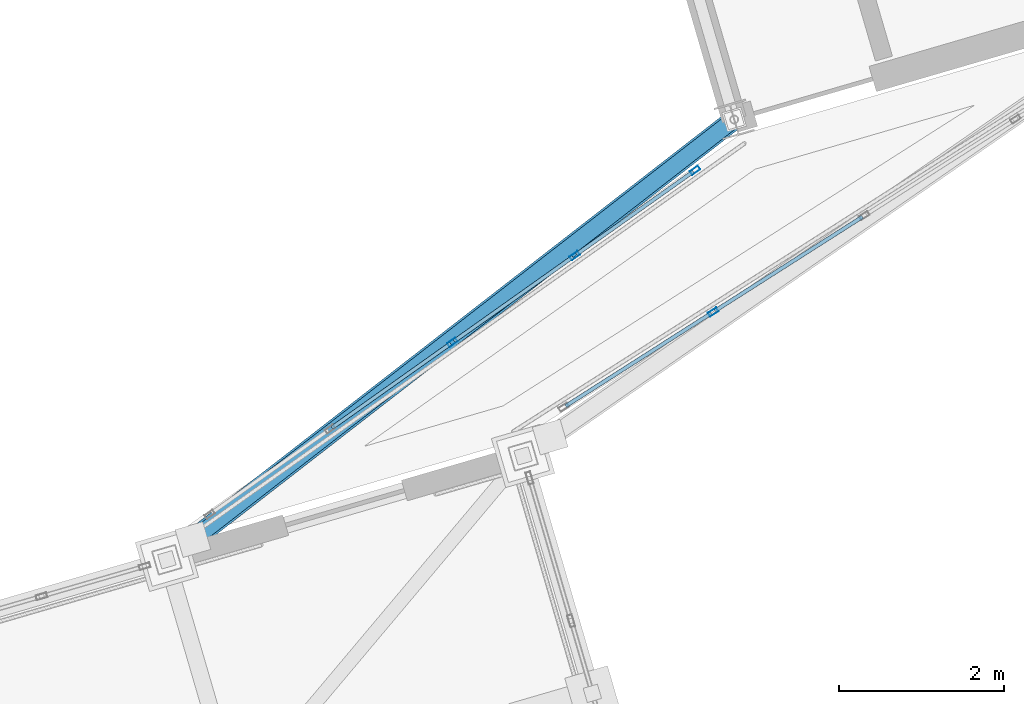
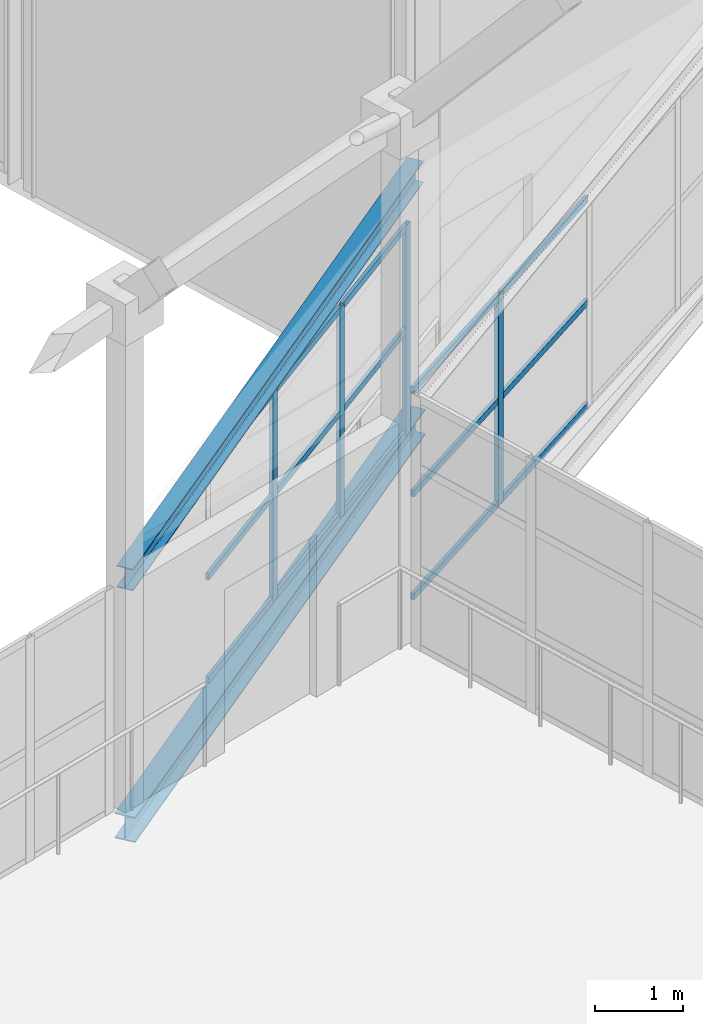
# One storey, part 131 of 248: 21 members, 2 elements without a shape of their own.
"""IFC4 building model written with IfcOpenShell, lengths in metres."""

from ifc_helpers import new_model, si_unit, direction, frame, origin, origin_2d, place, context, subcontext, project, spatial, hollow_rectangle, i_section, extrude, material, layer, layer_set, material_profile, profile_set, type_object, element, aggregate, save


model = new_model("IFC4")

# Units and contexts
model_context = context("Model", 3, precision=1e-05, world=origin(), true_north=direction((0.0, 1.0)))
body_context = subcontext(model_context, "Body", "Model", "MODEL_VIEW")
ifc_project = project(units=[si_unit("LENGTHUNIT", "METRE"), si_unit("AREAUNIT", "SQUARE_METRE"), si_unit("VOLUMEUNIT", "CUBIC_METRE"), si_unit("PLANEANGLEUNIT", "RADIAN"), si_unit("MASSUNIT", "GRAM", prefix="KILO")], contexts=[model_context])

# Site, building, storey
site_placement = place(None, origin())
site = spatial("IfcSite", under=ifc_project, at=site_placement, CompositionType="ELEMENT")
building_placement = place(site_placement, origin())
building = spatial("IfcBuilding", under=site, at=building_placement, Name="Canggui Botanical Conservatory", CompositionType="ELEMENT")
storey_placement = place(building_placement, frame((0.0, 0.0, 5.39990234375)))
storey = spatial("IfcBuildingStorey", under=building, at=storey_placement, Name="L02", CompositionType="ELEMENT", Elevation=5.39990234375)

# Curtain wall, members
ifc_material_1 = material(Name="Thermally Broken Aluminium", Category="aluminium")
ifc_layer = layer(ifc_material_1, 0.1201171875, Name="Thermally Broken Aluminium", Category="aluminium")
ifc_layer_set = layer_set([ifc_layer], Name="Thermally Broken Aluminium")
curtain_wall_type = type_object("IfcCurtainWallType", Name="CW-STICK-B", PredefinedType="USERDEFINED", material=ifc_layer_set)
curtain_wall_1_placement = place(storey_placement, origin())
curtain_wall_1 = element("IfcCurtainWall", 1, at=curtain_wall_1_placement, inside=storey, type_object=curtain_wall_type, Name="Facade Curtain Wall CW-SB-03-1", ObjectType="STICK GLAZED WALL", PredefinedType="USERDEFINED")
ifc_material_profile_1 = material_profile(ifc_material_1, hollow_rectangle(XDim=0.054931640625, YDim=0.1201171875, WallThickness=0.0029296875, at=origin_2d()), Name="CWM 55x120x3")
ifc_profile_set_1 = profile_set([ifc_material_profile_1], Name="Thermally Broken Aluminium")
member_type_1 = type_object("IfcMemberType", Name="CWM-05", PredefinedType="MULLION", material=ifc_profile_set_1)
member_1_placement = place(storey_placement, frame((62.5830078125, 87.29736328125, 0.0), z_axis=(0.0, 0.0, 1.0), x_axis=(-0.578282160778, 0.815836835725, 0.0)))
member_1 = element("IfcMember", 2, at=member_1_placement, type_object=member_type_1, Name="CW-05 mullion 3", PredefinedType="MULLION", context=body_context, shape_type="SweptSolid", body=[
    extrude(hollow_rectangle(XDim=0.054931640625, YDim=0.1201171875, WallThickness=0.0029296875, at=origin_2d()), origin(), (0.0, 0.0, 1.0), 2.900146484375),
])
member_2_placement = place(storey_placement, frame((64.06591796875, 88.348388671875, 0.0), z_axis=(0.0, 0.0, 1.0), x_axis=(-0.578282160778, 0.815836835725, 0.0)))
member_2 = element("IfcMember", 3, at=member_2_placement, type_object=member_type_1, Name="CW-05 mullion 4", PredefinedType="MULLION", context=body_context, shape_type="SweptSolid", body=[
    extrude(hollow_rectangle(XDim=0.054931640625, YDim=0.1201171875, WallThickness=0.0029296875, at=origin_2d()), origin(), (0.0, 0.0, 1.0), 2.900146484375),
])
member_3_placement = place(storey_placement, frame((65.5263671875, 89.383544921875, 0.0), z_axis=(0.0, 0.0, 1.0), x_axis=(-0.578282160778, 0.815836835725, 0.0)))
member_3 = element("IfcMember", 4, at=member_3_placement, type_object=member_type_1, Name="CW-05 mullion 5", PredefinedType="MULLION", context=body_context, shape_type="SweptSolid", body=[
    extrude(hollow_rectangle(XDim=0.054931640625, YDim=0.1201171875, WallThickness=0.0029296875, at=origin_2d()), origin(), (0.0, 0.0, 1.0), 2.900146484375),
])

# Curtain wall, member
curtain_wall_2_placement = place(storey_placement, origin())
curtain_wall_2 = element("IfcCurtainWall", 5, at=curtain_wall_2_placement, inside=storey, type_object=curtain_wall_type, Name="Facade Curtain Wall CW-SB-03-2", ObjectType="STICK GLAZED WALL", PredefinedType="USERDEFINED")
member_4_placement = place(storey_placement, frame((65.74462890625, 87.66455078125, 0.0), z_axis=(0.0, 0.0, 1.0), x_axis=(-0.537600449716, 0.843199713274, 0.0)))
member_4 = element("IfcMember", 6, at=member_4_placement, type_object=member_type_1, Name="CW-05 mullion 2", PredefinedType="MULLION", context=body_context, shape_type="SweptSolid", body=[
    extrude(hollow_rectangle(XDim=0.054931640625, YDim=0.1201171875, WallThickness=0.0029296875, at=origin_2d()), origin(), (0.0, 0.0, 1.0), 2.900146484375),
])

# Member
ifc_material_profile_2 = material_profile(ifc_material_1, hollow_rectangle(XDim=0.044921875, YDim=0.090087890625, WallThickness=0.0029296875, at=origin_2d()), Name="CWT 45x90x3")
ifc_profile_set_2 = profile_set([ifc_material_profile_2], Name="Thermally Broken Aluminium")
member_type_2 = type_object("IfcMemberType", Name="CWT-05", PredefinedType="USERDEFINED", material=ifc_profile_set_2)
member_5_placement = place(storey_placement, frame((61.122802734375, 86.26220703125, 0.022705078125), z_axis=(0.815787554846, 0.578351679654, 0.0), x_axis=(-0.578351679654, 0.815787554846, 0.0)))
member_5 = element("IfcMember", 7, at=member_5_placement, type_object=member_type_2, Name="CW-05 transom 2.1", ObjectType="TRANSOM", PredefinedType="USERDEFINED", context=body_context, shape_type="SweptSolid", body=[
    extrude(hollow_rectangle(XDim=0.044921875, YDim=0.090087890625, WallThickness=0.0029296875, at=origin_2d()), origin(), (0.0, 0.0, 1.0), 1.762451171875),
])

member_6_placement = place(storey_placement, frame((61.122802734375, 86.26220703125, 1.4501953125), z_axis=(0.815787554846, 0.578351679654, 0.0), x_axis=(-0.578351679654, 0.815787554846, 0.0)))
member_6 = element("IfcMember", 8, at=member_6_placement, type_object=member_type_2, Name="CW-05 transom 2.2", ObjectType="TRANSOM", PredefinedType="USERDEFINED", context=body_context, shape_type="SweptSolid", body=[
    extrude(hollow_rectangle(XDim=0.044921875, YDim=0.090087890625, WallThickness=0.0029296875, at=origin_2d()), origin(), (0.0, 0.0, 1.0), 1.762451171875),
])

member_7_placement = place(storey_placement, frame((61.122802734375, 86.26220703125, 2.877685546875), z_axis=(0.815787554846, 0.578351679654, 0.0), x_axis=(-0.578351679654, 0.815787554846, 0.0)))
member_7 = element("IfcMember", 9, at=member_7_placement, type_object=member_type_2, Name="CW-05 transom 2.3", ObjectType="TRANSOM", PredefinedType="USERDEFINED", context=body_context, shape_type="SweptSolid", body=[
    extrude(hollow_rectangle(XDim=0.044921875, YDim=0.090087890625, WallThickness=0.0029296875, at=origin_2d()), origin(), (0.0, 0.0, 1.0), 1.762451171875),
])

member_8_placement = place(storey_placement, frame((62.60546875, 87.313232421875, 0.022705078125), z_axis=(0.815833883097, 0.578286326304, 0.0), x_axis=(-0.578286326304, 0.815833883097, 0.0)))
member_8 = element("IfcMember", 10, at=member_8_placement, type_object=member_type_2, Name="CW-05 transom 3.1", ObjectType="TRANSOM", PredefinedType="USERDEFINED", context=body_context, shape_type="SweptSolid", body=[
    extrude(hollow_rectangle(XDim=0.044921875, YDim=0.090087890625, WallThickness=0.0029296875, at=origin_2d()), origin(), (0.0, 0.0, 1.0), 1.7626953125),
])

member_9_placement = place(storey_placement, frame((62.60546875, 87.313232421875, 1.4501953125), z_axis=(0.815833883097, 0.578286326304, 0.0), x_axis=(-0.578286326304, 0.815833883097, 0.0)))
member_9 = element("IfcMember", 11, at=member_9_placement, type_object=member_type_2, Name="CW-05 transom 3.2", ObjectType="TRANSOM", PredefinedType="USERDEFINED", context=body_context, shape_type="SweptSolid", body=[
    extrude(hollow_rectangle(XDim=0.044921875, YDim=0.090087890625, WallThickness=0.0029296875, at=origin_2d()), origin(), (0.0, 0.0, 1.0), 1.7626953125),
])

member_10_placement = place(storey_placement, frame((62.60546875, 87.313232421875, 2.877685546875), z_axis=(0.815833883097, 0.578286326304, 0.0), x_axis=(-0.578286326304, 0.815833883097, 0.0)))
member_10 = element("IfcMember", 12, at=member_10_placement, type_object=member_type_2, Name="CW-05 transom 3.3", ObjectType="TRANSOM", PredefinedType="USERDEFINED", context=body_context, shape_type="SweptSolid", body=[
    extrude(hollow_rectangle(XDim=0.044921875, YDim=0.090087890625, WallThickness=0.0029296875, at=origin_2d()), origin(), (0.0, 0.0, 1.0), 1.7626953125),
])

member_11_placement = place(storey_placement, frame((64.08837890625, 88.3642578125, 0.022705078125), z_axis=(0.815819794658, 0.578306201457, 0.0), x_axis=(-0.578306201457, 0.815819794658, 0.0)))
member_11 = element("IfcMember", 13, at=member_11_placement, type_object=member_type_2, Name="CW-05 transom 4.1", ObjectType="TRANSOM", PredefinedType="USERDEFINED", context=body_context, shape_type="SweptSolid", body=[
    extrude(hollow_rectangle(XDim=0.044921875, YDim=0.090087890625, WallThickness=0.0029296875, at=origin_2d()), origin(), (0.0, 0.0, 1.0), 1.735107421875),
])

member_12_placement = place(storey_placement, frame((64.08837890625, 88.3642578125, 1.4501953125), z_axis=(0.815819794658, 0.578306201457, 0.0), x_axis=(-0.578306201457, 0.815819794658, 0.0)))
member_12 = element("IfcMember", 14, at=member_12_placement, type_object=member_type_2, Name="CW-05 transom 4.2", ObjectType="TRANSOM", PredefinedType="USERDEFINED", context=body_context, shape_type="SweptSolid", body=[
    extrude(hollow_rectangle(XDim=0.044921875, YDim=0.090087890625, WallThickness=0.0029296875, at=origin_2d()), origin(), (0.0, 0.0, 1.0), 1.735107421875),
])

member_13_placement = place(storey_placement, frame((64.08837890625, 88.3642578125, 2.877685546875), z_axis=(0.815819794658, 0.578306201457, 0.0), x_axis=(-0.578306201457, 0.815819794658, 0.0)))
member_13 = element("IfcMember", 15, at=member_13_placement, type_object=member_type_2, Name="CW-05 transom 4.3", ObjectType="TRANSOM", PredefinedType="USERDEFINED", context=body_context, shape_type="SweptSolid", body=[
    extrude(hollow_rectangle(XDim=0.044921875, YDim=0.090087890625, WallThickness=0.0029296875, at=origin_2d()), origin(), (0.0, 0.0, 1.0), 1.735107421875),
])

aggregate(curtain_wall_1, [member_1, member_2, member_3, member_5, member_6, member_7, member_8, member_9, member_10, member_11, member_12, member_13])

member_14_placement = place(storey_placement, frame((63.95703125, 86.524658203125, 0.022705078125), z_axis=(0.843185548398, 0.537622665977, 0.0), x_axis=(-0.537622665977, 0.843185548398, 0.0)))
member_14 = element("IfcMember", 16, at=member_14_placement, type_object=member_type_2, Name="CW-05 transom 1.1", ObjectType="TRANSOM", PredefinedType="USERDEFINED", context=body_context, shape_type="SweptSolid", body=[
    extrude(hollow_rectangle(XDim=0.044921875, YDim=0.090087890625, WallThickness=0.0029296875, at=origin_2d()), origin(), (0.0, 0.0, 1.0), 2.092529296875),
])

member_15_placement = place(storey_placement, frame((63.95703125, 86.524658203125, 1.4501953125), z_axis=(0.843185548398, 0.537622665977, 0.0), x_axis=(-0.537622665977, 0.843185548398, 0.0)))
member_15 = element("IfcMember", 17, at=member_15_placement, type_object=member_type_2, Name="CW-05 transom 1.2", ObjectType="TRANSOM", PredefinedType="USERDEFINED", context=body_context, shape_type="SweptSolid", body=[
    extrude(hollow_rectangle(XDim=0.044921875, YDim=0.090087890625, WallThickness=0.0029296875, at=origin_2d()), origin(), (0.0, 0.0, 1.0), 2.092529296875),
])

member_16_placement = place(storey_placement, frame((63.95703125, 86.524658203125, 2.877685546875), z_axis=(0.843185548398, 0.537622665977, 0.0), x_axis=(-0.537622665977, 0.843185548398, 0.0)))
member_16 = element("IfcMember", 18, at=member_16_placement, type_object=member_type_2, Name="CW-05 transom 1.3", ObjectType="TRANSOM", PredefinedType="USERDEFINED", context=body_context, shape_type="SweptSolid", body=[
    extrude(hollow_rectangle(XDim=0.044921875, YDim=0.090087890625, WallThickness=0.0029296875, at=origin_2d()), origin(), (0.0, 0.0, 1.0), 2.092529296875),
])

member_17_placement = place(storey_placement, frame((65.767822265625, 87.67919921875, 0.022705078125), z_axis=(0.843215452647, 0.537575762491, 0.0), x_axis=(-0.537575762491, 0.843215452647, 0.0)))
member_17 = element("IfcMember", 19, at=member_17_placement, type_object=member_type_2, Name="CW-05 transom 2.1", ObjectType="TRANSOM", PredefinedType="USERDEFINED", context=body_context, shape_type="SweptSolid", body=[
    extrude(hollow_rectangle(XDim=0.044921875, YDim=0.090087890625, WallThickness=0.0029296875, at=origin_2d()), origin(), (0.0, 0.0, 1.0), 2.119873046875),
])

member_18_placement = place(storey_placement, frame((65.767822265625, 87.67919921875, 1.4501953125), z_axis=(0.843215452647, 0.537575762491, 0.0), x_axis=(-0.537575762491, 0.843215452647, 0.0)))
member_18 = element("IfcMember", 20, at=member_18_placement, type_object=member_type_2, Name="CW-05 transom 2.2", ObjectType="TRANSOM", PredefinedType="USERDEFINED", context=body_context, shape_type="SweptSolid", body=[
    extrude(hollow_rectangle(XDim=0.044921875, YDim=0.090087890625, WallThickness=0.0029296875, at=origin_2d()), origin(), (0.0, 0.0, 1.0), 2.119873046875),
])

member_19_placement = place(storey_placement, frame((65.767822265625, 87.67919921875, 2.877685546875), z_axis=(0.843215452647, 0.537575762491, 0.0), x_axis=(-0.537575762491, 0.843215452647, 0.0)))
member_19 = element("IfcMember", 21, at=member_19_placement, type_object=member_type_2, Name="CW-05 transom 2.3", ObjectType="TRANSOM", PredefinedType="USERDEFINED", context=body_context, shape_type="SweptSolid", body=[
    extrude(hollow_rectangle(XDim=0.044921875, YDim=0.090087890625, WallThickness=0.0029296875, at=origin_2d()), origin(), (0.0, 0.0, 1.0), 2.119873046875),
])

aggregate(curtain_wall_2, [member_4, member_14, member_15, member_16, member_17, member_18, member_19])

# Members
ifc_material_2 = material(Name="Steel Q355B", Category="steel")
ifc_material_profile_3 = material_profile(ifc_material_2, i_section(OverallWidth=0.25, OverallDepth=0.35009765625, WebThickness=0.009033203125, FlangeThickness=0.013916015625, FilletRadius=0.02001953125, at=origin_2d()), Name="HM 350x250x9x14")
ifc_profile_set_3 = profile_set([ifc_material_profile_3], Name="Steel Q355B")
member_type_3 = type_object("IfcMemberType", Name="MEM-TC03", PredefinedType="CHORD", material=ifc_profile_set_3)
member_20_placement = place(storey_placement, frame((59.1201171875, 84.659912109375, -0.349853515625), z_axis=(0.78996013846, 0.613158201155, 0.0), x_axis=(-0.613158201155, 0.78996013846, 0.0)))
element("IfcMember", 22, at=member_20_placement, inside=storey, type_object=member_type_3, Name="SB-03 Deck Truss Bottom Chord 1", PredefinedType="CHORD", context=body_context, shape_type="SweptSolid", body=[
    extrude(i_section(OverallWidth=0.25, OverallDepth=0.35009765625, WebThickness=0.009033203125, FlangeThickness=0.013916015625, FilletRadius=0.02001953125, at=origin_2d()), origin(), (0.0, 0.0, 1.0), 8.709228515625),
])
ifc_material_profile_4 = material_profile(ifc_material_2, i_section(OverallWidth=0.199951171875, OverallDepth=0.300048828125, WebThickness=0.008056640625, FlangeThickness=0.011962890625, FilletRadius=0.01806640625, at=origin_2d()), Name="HM 300x200x8x12")
ifc_profile_set_4 = profile_set([ifc_material_profile_4], Name="Steel Q355B")
member_type_4 = type_object("IfcMemberType", Name="MEM-TC04", PredefinedType="CHORD", material=ifc_profile_set_4)
member_21_placement = place(storey_placement, frame((59.1201171875, 84.659912109375, 3.10009765625), z_axis=(0.78996013846, 0.613158201155, 0.0), x_axis=(-0.613158201155, 0.78996013846, 0.0)))
element("IfcMember", 23, at=member_21_placement, inside=storey, type_object=member_type_4, Name="SB-03 Roof Truss Top Chord 1", PredefinedType="CHORD", context=body_context, shape_type="SweptSolid", body=[
    extrude(i_section(OverallWidth=0.199951171875, OverallDepth=0.300048828125, WebThickness=0.008056640625, FlangeThickness=0.011962890625, FilletRadius=0.01806640625, at=origin_2d()), origin(), (0.0, 0.0, 1.0), 8.709228515625),
])

save(model, "model.ifc")
